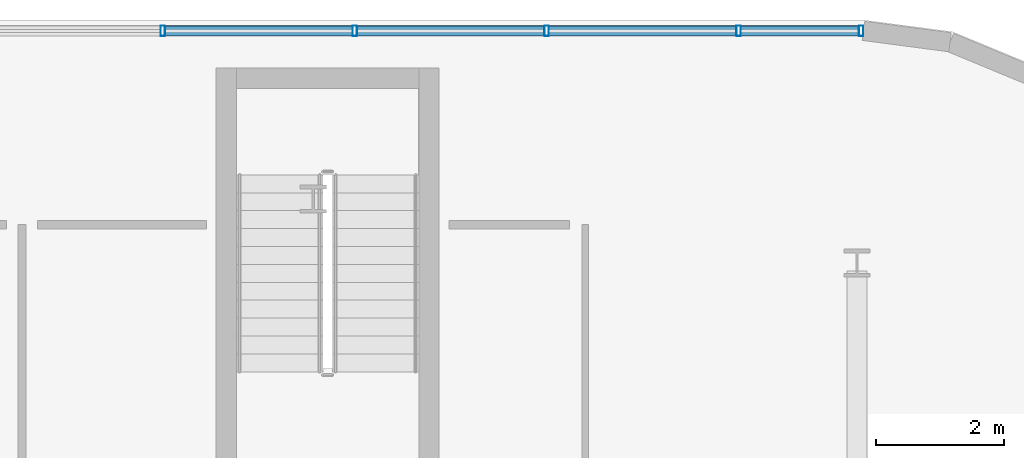
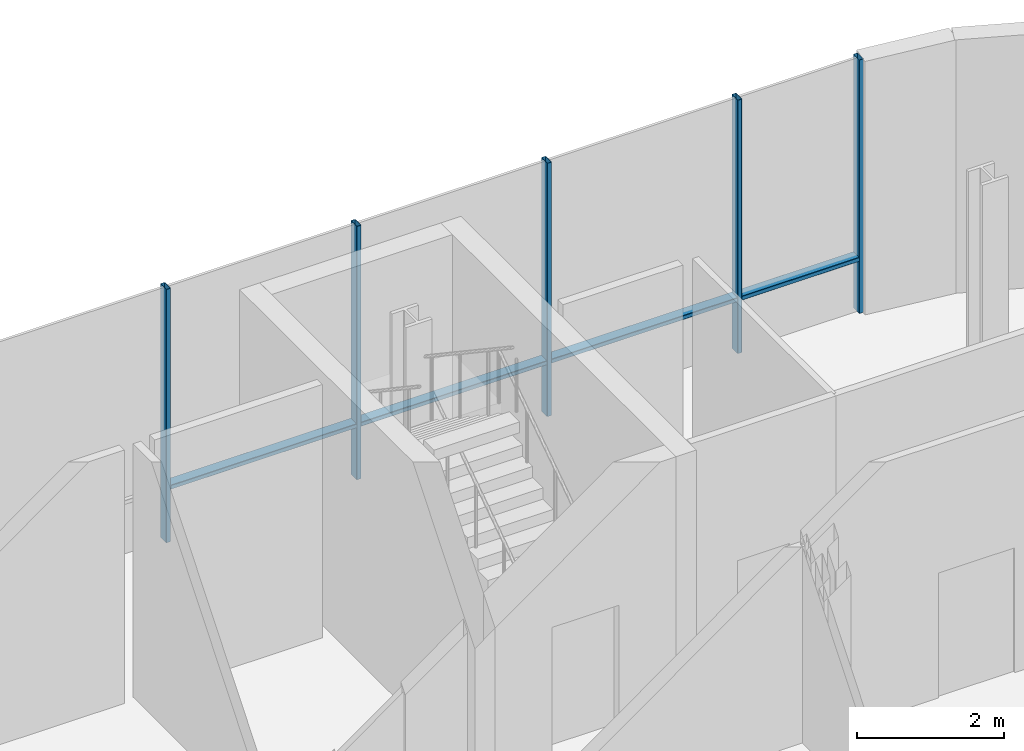
# One storey, part 13 of 25: 9 members, 1 element without a shape of its own.
"""IFC4 building model written with IfcOpenShell, lengths in metres."""

from ifc_helpers import new_model, si_unit, direction, frame, origin, origin_2d, place, context, subcontext, project, spatial, hollow_rectangle, extrude, material, layer, layer_set, material_profile, profile_set, type_object, element, aggregate, save


model = new_model("IFC4")

# Units and contexts
model_context = context("Model", 3, precision=1e-05, world=origin(), true_north=direction((0.0, 1.0)))
body_context = subcontext(model_context, "Body", "Model", "MODEL_VIEW")
ifc_project = project(units=[si_unit("LENGTHUNIT", "METRE"), si_unit("AREAUNIT", "SQUARE_METRE"), si_unit("VOLUMEUNIT", "CUBIC_METRE"), si_unit("PLANEANGLEUNIT", "RADIAN"), si_unit("MASSUNIT", "GRAM", prefix="KILO")], contexts=[model_context])

# Site, building, storey
site_placement = place(None, origin())
site = spatial("IfcSite", under=ifc_project, at=site_placement, CompositionType="ELEMENT")
building_placement = place(site_placement, origin())
building = spatial("IfcBuilding", under=site, at=building_placement, Name="Brevholm Reach", CompositionType="ELEMENT")
storey_placement = place(building_placement, frame((0.0, 0.0, 4.5)))
storey = spatial("IfcBuildingStorey", under=building, at=storey_placement, Name="L01", CompositionType="ELEMENT", Elevation=4.5)

# Curtain wall, members
ifc_material_1 = material(Name="Dark Anodised Aluminium 6063-T6 and Solar-Control Glass", Category="aluminium")
ifc_layer = layer(ifc_material_1, 0.1650390625)
ifc_layer_set = layer_set([ifc_layer], Name="Dark Anodised Aluminium 6063-T6 and Solar-Control Glass")
curtain_wall_type = type_object("IfcCurtainWallType", Name="CW-03", PredefinedType="NOTDEFINED", material=ifc_layer_set)
curtain_wall_placement = place(storey_placement, origin())
curtain_wall = element("IfcCurtainWall", 1, at=curtain_wall_placement, inside=storey, type_object=curtain_wall_type, Name="L01 Curtain Wall CW-03", PredefinedType="NOTDEFINED")
ifc_material_2 = material(Name="Dark Anodised Aluminium 6063-T6", Category="aluminium")
ifc_material_profile_1 = material_profile(ifc_material_2, hollow_rectangle(XDim=0.070068359375, YDim=0.1650390625, WallThickness=0.0048828125, InnerFilletRadius=0.0048828125, OuterFilletRadius=0.010009765625, at=origin_2d()), Name="RHS 165x70x5")
ifc_profile_set_1 = profile_set([ifc_material_profile_1], Name="Dark Anodised Aluminium 6063-T6")
member_type_1 = type_object("IfcMemberType", Name="CWM-165", PredefinedType="MULLION", material=ifc_profile_set_1)
member_1_placement = place(storey_placement, frame((54.64990234375, 39.830078125, 0.0), z_axis=(0.0, 0.0, 1.0), x_axis=(1.0, 0.0, 0.0)))
member_1 = element("IfcMember", 2, at=member_1_placement, type_object=member_type_1, Name="CM-165 Mullion 3", PredefinedType="MULLION", context=body_context, shape_type="SweptSolid", body=[
    extrude(hollow_rectangle(XDim=0.070068359375, YDim=0.1650390625, WallThickness=0.0048828125, InnerFilletRadius=0.0048828125, OuterFilletRadius=0.010009765625, at=origin_2d()), origin(), (0.0, 0.0, 1.0), 4.219970703125),
])
member_2_placement = place(storey_placement, frame((57.64990234375, 39.830078125, 0.0), z_axis=(0.0, 0.0, 1.0), x_axis=(1.0, 0.0, 0.0)))
member_2 = element("IfcMember", 3, at=member_2_placement, type_object=member_type_1, Name="CM-165 Mullion 4", PredefinedType="MULLION", context=body_context, shape_type="SweptSolid", body=[
    extrude(hollow_rectangle(XDim=0.070068359375, YDim=0.1650390625, WallThickness=0.0048828125, InnerFilletRadius=0.0048828125, OuterFilletRadius=0.010009765625, at=origin_2d()), origin(), (0.0, 0.0, 1.0), 4.219970703125),
])
member_3_placement = place(storey_placement, frame((60.64990234375, 39.830078125, 0.0), z_axis=(0.0, 0.0, 1.0), x_axis=(1.0, 0.0, 0.0)))
member_3 = element("IfcMember", 4, at=member_3_placement, type_object=member_type_1, Name="CM-165 Mullion 5", PredefinedType="MULLION", context=body_context, shape_type="SweptSolid", body=[
    extrude(hollow_rectangle(XDim=0.070068359375, YDim=0.1650390625, WallThickness=0.0048828125, InnerFilletRadius=0.0048828125, OuterFilletRadius=0.010009765625, at=origin_2d()), origin(), (0.0, 0.0, 1.0), 4.219970703125),
])
member_4_placement = place(storey_placement, frame((63.64990234375, 39.830078125, 0.0), z_axis=(0.0, 0.0, 1.0), x_axis=(1.0, 0.0, 0.0)))
member_4 = element("IfcMember", 5, at=member_4_placement, type_object=member_type_1, Name="CM-165 Mullion 6", PredefinedType="MULLION", context=body_context, shape_type="SweptSolid", body=[
    extrude(hollow_rectangle(XDim=0.070068359375, YDim=0.1650390625, WallThickness=0.0048828125, InnerFilletRadius=0.0048828125, OuterFilletRadius=0.010009765625, at=origin_2d()), origin(), (0.0, 0.0, 1.0), 4.219970703125),
])
member_5_placement = place(storey_placement, frame((65.56494140625, 39.830078125, 0.0), z_axis=(0.0, 0.0, 1.0), x_axis=(1.0, 0.0, 0.0)))
member_5 = element("IfcMember", 6, at=member_5_placement, type_object=member_type_1, Name="CM-165 Mullion 7", PredefinedType="MULLION", context=body_context, shape_type="SweptSolid", body=[
    extrude(hollow_rectangle(XDim=0.070068359375, YDim=0.1650390625, WallThickness=0.0048828125, InnerFilletRadius=0.0048828125, OuterFilletRadius=0.010009765625, at=origin_2d()), origin(), (0.0, 0.0, 1.0), 4.219970703125),
])
ifc_material_3 = material(Name="Dark Anodised Aluminium 6063-T6", Category="aluminium")
ifc_material_profile_2 = material_profile(ifc_material_3, hollow_rectangle(XDim=0.070068359375, YDim=0.1650390625, WallThickness=0.0048828125, InnerFilletRadius=0.0048828125, OuterFilletRadius=0.010009765625, at=origin_2d()), Name="RHS 165x70x5")
ifc_profile_set_2 = profile_set([ifc_material_profile_2], Name="Dark Anodised Aluminium 6063-T6")
member_type_2 = type_object("IfcMemberType", Name="CWT-165", PredefinedType="NOTDEFINED", material=ifc_profile_set_2)
member_6_placement = place(storey_placement, frame((54.68505859375, 39.830078125, 0.89990234375), z_axis=(1.0, 0.0, 0.0), x_axis=(0.0, 0.0, 1.0)))
member_6 = element("IfcMember", 7, at=member_6_placement, type_object=member_type_2, Name="CT-165 Transom 3.1", ObjectType="TRANSOM", PredefinedType="USERDEFINED", context=body_context, shape_type="SweptSolid", body=[
    extrude(hollow_rectangle(XDim=0.070068359375, YDim=0.1650390625, WallThickness=0.0048828125, InnerFilletRadius=0.0048828125, OuterFilletRadius=0.010009765625, at=origin_2d()), origin(), (0.0, 0.0, 1.0), 2.929931640625),
])
member_7_placement = place(storey_placement, frame((57.68505859375, 39.830078125, 0.89990234375), z_axis=(1.0, 0.0, 0.0), x_axis=(0.0, 0.0, 1.0)))
member_7 = element("IfcMember", 8, at=member_7_placement, type_object=member_type_2, Name="CT-165 Transom 4.1", ObjectType="TRANSOM", PredefinedType="USERDEFINED", context=body_context, shape_type="SweptSolid", body=[
    extrude(hollow_rectangle(XDim=0.070068359375, YDim=0.1650390625, WallThickness=0.0048828125, InnerFilletRadius=0.0048828125, OuterFilletRadius=0.010009765625, at=origin_2d()), origin(), (0.0, 0.0, 1.0), 2.929931640625),
])
member_8_placement = place(storey_placement, frame((60.68505859375, 39.830078125, 0.89990234375), z_axis=(1.0, 0.0, 0.0), x_axis=(0.0, 0.0, 1.0)))
member_8 = element("IfcMember", 9, at=member_8_placement, type_object=member_type_2, Name="CT-165 Transom 5.1", ObjectType="TRANSOM", PredefinedType="USERDEFINED", context=body_context, shape_type="SweptSolid", body=[
    extrude(hollow_rectangle(XDim=0.070068359375, YDim=0.1650390625, WallThickness=0.0048828125, InnerFilletRadius=0.0048828125, OuterFilletRadius=0.010009765625, at=origin_2d()), origin(), (0.0, 0.0, 1.0), 2.929931640625),
])
member_9_placement = place(storey_placement, frame((63.68505859375, 39.830078125, 0.89990234375), z_axis=(1.0, 0.0, 0.0), x_axis=(0.0, 0.0, 1.0)))
member_9 = element("IfcMember", 10, at=member_9_placement, type_object=member_type_2, Name="CT-165 Transom 6.1", ObjectType="TRANSOM", PredefinedType="USERDEFINED", context=body_context, shape_type="SweptSolid", body=[
    extrude(hollow_rectangle(XDim=0.070068359375, YDim=0.1650390625, WallThickness=0.0048828125, InnerFilletRadius=0.0048828125, OuterFilletRadius=0.010009765625, at=origin_2d()), origin(), (0.0, 0.0, 1.0), 1.844970703125),
])
aggregate(curtain_wall, [member_1, member_2, member_3, member_4, member_5, member_6, member_7, member_8, member_9])

save(model, "model.ifc")
